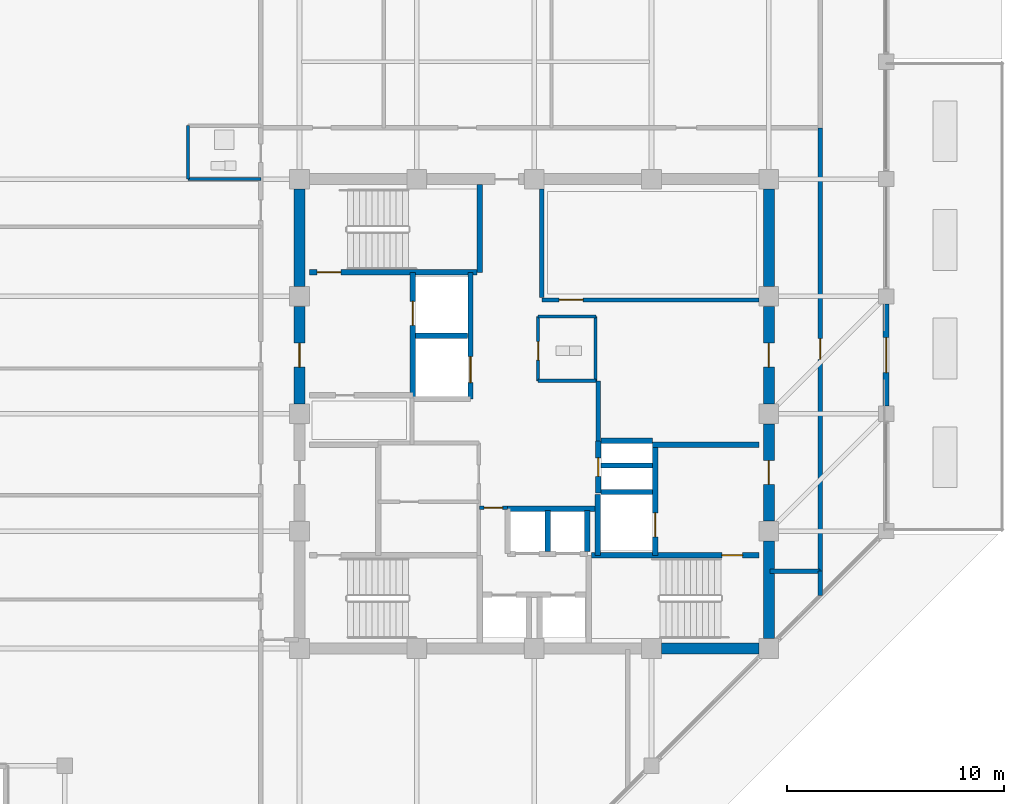
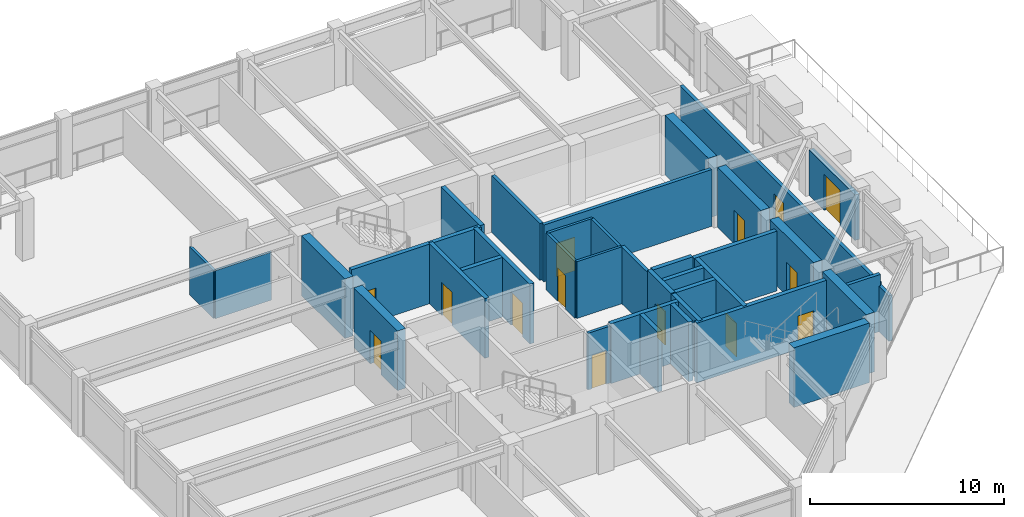
# One storey, part 27 of 34: 37 walls, 14 doors, 14 openings.
"""IFC4 building model written with IfcOpenShell, lengths in metres."""

import ifcopenshell
import ifcopenshell.guid

model = None  # the IFC model being written
_history = None  # IfcOwnerHistory: only IFC2X3 demands one
_inside = {}  # id of a spatial element -> (the spatial element, [elements in it])
_under = {}  # id of a project, library or spatial element -> (it, [spatial elements below it])
_declared = {}  # id of a project -> (the project, [libraries it declares])
_typed = {}  # id of a type object -> (the type object, [elements of that type])
_made_of = {}  # id of a material, layer set ... -> (it, [elements and type objects made of it])


def new_model(schema):
    """Start an empty IFC model of exactly this schema.

    Asked for "IFC4X3", IfcOpenShell would pick the latest addendum, in which some entities
    have other attributes; the version numbers below select the first issue.
    IFC2X3 requires an IfcOwnerHistory on every rooted entity: one is made here for all.
    """
    global model, _history
    if schema == "IFC4X3":
        model = ifcopenshell.file(schema_version=(4, 3, 0, 0))
    else:
        model = ifcopenshell.file(schema=schema)
    _inside.clear()
    _under.clear()
    _declared.clear()
    _typed.clear()
    _made_of.clear()
    _history = None
    if model.schema == "IFC2X3":
        org = make("IfcOrganization", Name="unknown")
        user = make(
            "IfcPersonAndOrganization",
            ThePerson=make("IfcPerson", FamilyName="unknown"),
            TheOrganization=org,
        )
        app = make(
            "IfcApplication",
            ApplicationDeveloper=org,
            Version="unknown",
            ApplicationFullName="unknown",
            ApplicationIdentifier="unknown",
        )
        _history = make(
            "IfcOwnerHistory",
            OwningUser=user,
            OwningApplication=app,
            ChangeAction="ADDED",
            CreationDate=0,
        )
    return model


def make(cls, **values):
    """One entity of the class cls with the attributes given. An attribute that is None is left unset."""
    return model.create_entity(
        cls, **{name: value for name, value in values.items() if value is not None}
    )


def rooted(cls, **values):
    """An entity with a GlobalId (a new one), such as an element, a storey or a relation."""
    return make(cls, GlobalId=ifcopenshell.guid.new(), OwnerHistory=_history, **values)


def si_unit(unit_type, name, prefix=None):
    """IfcSIUnit, for example si_unit("LENGTHUNIT", "METRE", prefix="MILLI")."""
    return make("IfcSIUnit", UnitType=unit_type, Prefix=prefix, Name=name)


def assignment(units):
    """IfcUnitAssignment: the units of a project."""
    return None if units is None else make("IfcUnitAssignment", Units=units)


def point(xyz):
    """IfcCartesianPoint."""
    return None if xyz is None else make("IfcCartesianPoint", Coordinates=xyz)


def direction(xyz):
    """IfcDirection."""
    return None if xyz is None else make("IfcDirection", DirectionRatios=xyz)


def frame(location, z_axis=None, x_axis=None):
    """IfcAxis2Placement3D, a coordinate frame: its origin and axes. An axis left out is left unset."""
    return make(
        "IfcAxis2Placement3D",
        Location=point(location),
        Axis=direction(z_axis),
        RefDirection=direction(x_axis),
    )


def frame_2d(location, x_axis=None):
    """IfcAxis2Placement2D, a coordinate frame in the plane: its origin and x axis."""
    return make(
        "IfcAxis2Placement2D", Location=point(location), RefDirection=direction(x_axis)
    )


def origin():
    """The frame at (0, 0, 0) with its axes left unset."""
    return frame((0.0, 0.0, 0.0))


def place(relative_to, where):
    """IfcLocalPlacement: puts the frame where relative to a parent placement (None: the world)."""
    return make(
        "IfcLocalPlacement", PlacementRelTo=relative_to, RelativePlacement=where
    )


def context(
    kind, dimensions, precision=None, world=None, true_north=None, identifier=None
):
    """IfcGeometricRepresentationContext, for example the 3D "Model" context."""
    return make(
        "IfcGeometricRepresentationContext",
        ContextIdentifier=identifier,
        ContextType=kind,
        CoordinateSpaceDimension=dimensions,
        Precision=precision,
        WorldCoordinateSystem=world,
        TrueNorth=true_north,
    )


def subcontext(parent, identifier, kind, view, scale=None):
    """IfcGeometricRepresentationSubContext, for example "Body" below "Model"."""
    return make(
        "IfcGeometricRepresentationSubContext",
        ContextIdentifier=identifier,
        ContextType=kind,
        ParentContext=parent,
        TargetScale=scale,
        TargetView=view,
    )


def project(units=None, contexts=None):
    """IfcProject with its units and contexts."""
    return rooted(
        "IfcProject",
        Name="project",
        RepresentationContexts=contexts,
        UnitsInContext=assignment(units),
    )


def spatial(cls, under=None, at=None, **own):
    """A site, building, storey or space (cls), placed at a placement, below another one or the project."""
    s = rooted(cls, ObjectPlacement=at, **own)
    if under is not None:
        _under.setdefault(under.id(), (under, []))[1].append(s)
    return s


def profile(cls, at=None, kind="AREA", **sizes):
    """A parametric profile (cls). Its sizes go by their IFC names, for example OverallWidth=200.0."""
    return make(cls, ProfileType=kind, Position=at, **sizes)


def rectangle(**sizes):
    """IfcRectangleProfileDef."""
    return profile("IfcRectangleProfileDef", **sizes)


def extrude(swept, where, along, depth):
    """IfcExtrudedAreaSolid: the profile swept, set in the frame where, extruded along a direction by depth."""
    return make(
        "IfcExtrudedAreaSolid",
        SweptArea=swept,
        Position=where,
        ExtrudedDirection=direction(along),
        Depth=depth,
    )


def shape(context_of_items, identifier, shape_type, items):
    """IfcShapeRepresentation: the items that make up one representation, for example the "Body"."""
    return make(
        "IfcShapeRepresentation",
        ContextOfItems=context_of_items,
        RepresentationIdentifier=identifier,
        RepresentationType=shape_type,
        Items=items,
    )


def material(Name=None, Category=None):
    """IfcMaterial."""
    return make("IfcMaterial", Name=Name, Category=Category)


def layer(
    of_material, thickness, ventilated=None, Name=None, Category=None, Priority=None
):
    """IfcMaterialLayer: one layer of a wall or slab, of a material (None: an air gap)."""
    return make(
        "IfcMaterialLayer",
        Material=of_material,
        LayerThickness=thickness,
        IsVentilated=ventilated,
        Name=Name,
        Category=Category,
        Priority=Priority,
    )


def layer_set(layers, Name=None):
    """IfcMaterialLayerSet."""
    return make("IfcMaterialLayerSet", MaterialLayers=layers, LayerSetName=Name)


def made_of(thing, what):
    """Note that an element or type object is made of a material, layer set ...; save() writes the relation."""
    if what is not None:
        _made_of.setdefault(what.id(), (what, []))[1].append(thing)
    return thing


def type_object(cls, material=None, **own):
    """A type object (cls), such as IfcWallType, which elements share."""
    return made_of(rooted(cls, **own), material)


def element(
    cls,
    number,
    at=None,
    inside=None,
    cuts=None,
    type_object=None,
    material=None,
    context=None,
    identifier="Body",
    shape_type=None,
    held_by="IfcProductDefinitionShape",
    body=None,
    shapes=None,
    **own,
):
    """One element of the class cls, such as IfcWall. Its Tag is "e" and its number.

    at: its placement. inside: the storey or other place that contains it. cuts: it is an
    opening in that element (IfcRelVoidsElement). A single representation is given by context,
    identifier, shape_type and body (its items); several are given by shapes. held_by: the class
    of the entity that holds the representations. save() writes the other relations.
    """
    e = rooted(cls, Tag="e%d" % number, ObjectPlacement=at, **own)
    if body is not None:
        shapes = [shape(context, identifier, shape_type, body)]
    if shapes is not None:
        e.Representation = make(held_by, Representations=shapes)
    if inside is not None:
        _inside.setdefault(inside.id(), (inside, []))[1].append(e)
    if cuts is not None:
        rooted(
            "IfcRelVoidsElement", RelatingBuildingElement=cuts, RelatedOpeningElement=e
        )
    if type_object is not None:
        _typed.setdefault(type_object.id(), (type_object, []))[1].append(e)
    return made_of(e, material)


def fill(opening, filler):
    """IfcRelFillsElement: the door or window that sits in an opening."""
    return rooted(
        "IfcRelFillsElement",
        RelatingOpeningElement=opening,
        RelatedBuildingElement=filler,
    )


def aggregate(whole, parts):
    """IfcRelAggregates: a whole, such as a stair, and the parts it consists of."""
    return rooted("IfcRelAggregates", RelatingObject=whole, RelatedObjects=parts)


def save(model, path):
    """Write the relations noted so far, then the file.

    IfcRelAggregates (storeys below a building ...), IfcRelContainedInSpatialStructure (elements
    in a storey), IfcRelDefinesByType, IfcRelAssociatesMaterial and IfcRelDeclares: one each for
    every whole, place, type object, material and project.
    """
    for whole, parts in _under.values():
        aggregate(whole, parts)
    for where, things in _inside.values():
        rooted(
            "IfcRelContainedInSpatialStructure",
            RelatedElements=things,
            RelatingStructure=where,
        )
    for kind, things in _typed.values():
        rooted("IfcRelDefinesByType", RelatedObjects=things, RelatingType=kind)
    for what, things in _made_of.values():
        rooted("IfcRelAssociatesMaterial", RelatedObjects=things, RelatingMaterial=what)
    for by, libraries in _declared.values():
        rooted("IfcRelDeclares", RelatingContext=by, RelatedDefinitions=libraries)
    model.write(path)


model = new_model("IFC4")

# Units and contexts
model_context = context("Model", 3, precision=1e-05, world=origin(), true_north=direction((0.0, 1.0)))
body_context = subcontext(model_context, "Body", "Model", "MODEL_VIEW")
ifc_project = project(units=[si_unit("LENGTHUNIT", "METRE"), si_unit("AREAUNIT", "SQUARE_METRE"), si_unit("VOLUMEUNIT", "CUBIC_METRE"), si_unit("PLANEANGLEUNIT", "RADIAN"), si_unit("MASSUNIT", "GRAM", prefix="KILO")], contexts=[model_context])

# Site, building, storey
site_placement = place(None, origin())
site = spatial("IfcSite", under=ifc_project, at=site_placement, CompositionType="ELEMENT")
building_placement = place(site_placement, origin())
building = spatial("IfcBuilding", under=site, at=building_placement, Name="Surkhivell Harbour Commons", CompositionType="ELEMENT")
storey_placement = place(building_placement, frame((0.0, 0.0, 258.75)))
storey = spatial("IfcBuildingStorey", under=building, at=storey_placement, Name="L67", CompositionType="ELEMENT", Elevation=258.75)

# Wall
ifc_material_1 = material(Name="Concrete C50/60", Category="concrete")
ifc_layer_1 = layer(ifc_material_1, 0.5)
ifc_layer_set_1 = layer_set([ifc_layer_1], Name="Concrete C50/60")
wall_type_1 = type_object("IfcWallType", Name="WAL-CORE-500", PredefinedType="SHEAR", material=ifc_layer_set_1)
wall_1_placement = place(storey_placement, frame((10.800048828125, -10.340087890625, 0.0), z_axis=(0.0, 0.0, 1.0), x_axis=(0.0, 1.0, 0.0)))
element("IfcWall", 1, at=wall_1_placement, inside=storey, type_object=wall_type_1, Name="L67 Core Shear Wall East 1", PredefinedType="SHEAR", context=body_context, shape_type="SweptSolid", body=[
    extrude(rectangle(XDim=4.47998046875, YDim=0.5, at=frame_2d((2.239990234375, 0.0))), origin(), (0.0, 0.0, 1.0), 3.75),
])

# Wall, opening, door
wall_2_placement = place(storey_placement, frame((10.800048828125, -4.93994140625, 0.0), z_axis=(0.0, 0.0, 1.0), x_axis=(0.0, 1.0, 0.0)))
wall_2 = element("IfcWall", 2, at=wall_2_placement, inside=storey, type_object=wall_type_1, Name="L67 Core Shear Wall East 2", PredefinedType="SHEAR", context=body_context, shape_type="SweptSolid", body=[
    extrude(rectangle(XDim=4.47998046875, YDim=0.5, at=frame_2d((2.239990234375, 0.0))), origin(), (0.0, 0.0, 1.0), 3.75),
])
opening_1_placement = place(wall_2_placement, frame((1.68994140625, 0.0, 0.0)))
opening_1 = element("IfcOpeningElement", 3, at=opening_1_placement, cuts=wall_2, Name="Opening ID-1", PredefinedType="OPENING", context=body_context, shape_type="SweptSolid", body=[
    extrude(rectangle(XDim=1.10009765625, YDim=2.10009765625, at=frame_2d((0.550048828125, 1.050048828125))), frame((0.0, 0.260009765625, 0.0), z_axis=(0.0, -1.0, 0.0), x_axis=(1.0, 0.0, 0.0)), (0.0, 0.0, 1.0), 0.52001953125),
])
ifc_material_2 = material(Name="Hardwood-veneered fire-rated door leaf", Category="wood")
door_type_1 = type_object("IfcDoorType", Name="DOR-FD120-1100", OperationType="NOTDEFINED", PredefinedType="DOOR", material=ifc_material_2)
door_1_placement = place(opening_1_placement, origin())
door_1 = element("IfcDoor", 4, at=door_1_placement, inside=storey, type_object=door_type_1, Name="L67 Firefighting Lobby 2 Corridor Door", OperationType="SINGLE_SWING_RIGHT", OverallHeight=2.10009765625, OverallWidth=1.10009765625, PredefinedType="DOOR", context=body_context, shape_type="SweptSolid", body=[
    extrude(rectangle(XDim=1.10009765625, YDim=2.10009765625, at=frame_2d((0.550048828125, 1.050048828125))), frame((0.0, 0.02490234375, 0.0), z_axis=(0.0, -1.0, 0.0), x_axis=(1.0, 0.0, 0.0)), (0.0, 0.0, 1.0), 0.050048828125),
])
fill(opening_1, door_1)

wall_3_placement = place(storey_placement, frame((-10.800048828125, 0.4599609375, 0.0), z_axis=(0.0, 0.0, 1.0), x_axis=(0.0, 1.0, 0.0)))
wall_3 = element("IfcWall", 5, at=wall_3_placement, inside=storey, type_object=wall_type_1, Name="L67 Core Shear Wall West 3", PredefinedType="SHEAR", context=body_context, shape_type="SweptSolid", body=[
    extrude(rectangle(XDim=4.47998046875, YDim=0.5, at=frame_2d((2.239990234375, 0.0))), origin(), (0.0, 0.0, 1.0), 3.75),
])
opening_2_placement = place(wall_3_placement, frame((1.68994140625, 0.0, 0.0)))
opening_2 = element("IfcOpeningElement", 6, at=opening_2_placement, cuts=wall_3, Name="Opening ID-1", PredefinedType="OPENING", context=body_context, shape_type="SweptSolid", body=[
    extrude(rectangle(XDim=1.10009765625, YDim=2.10009765625, at=frame_2d((0.550048828125, 1.050048828125))), frame((0.0, 0.260009765625, 0.0), z_axis=(0.0, -1.0, 0.0), x_axis=(1.0, 0.0, 0.0)), (0.0, 0.0, 1.0), 0.52001953125),
])
door_2_placement = place(opening_2_placement, origin())
door_2 = element("IfcDoor", 7, at=door_2_placement, inside=storey, type_object=door_type_1, Name="L67 Firefighting Lobby 1 Corridor Door", OperationType="SINGLE_SWING_LEFT", OverallHeight=2.10009765625, OverallWidth=1.10009765625, PredefinedType="DOOR", context=body_context, shape_type="SweptSolid", body=[
    extrude(rectangle(XDim=1.10009765625, YDim=2.10009765625, at=frame_2d((0.550048828125, 1.050048828125))), frame((0.0, 0.02490234375, 0.0), z_axis=(0.0, -1.0, 0.0), x_axis=(1.0, 0.0, 0.0)), (0.0, 0.0, 1.0), 0.050048828125),
])
fill(opening_2, door_2)

wall_4_placement = place(storey_placement, frame((10.800048828125, 0.4599609375, 0.0), z_axis=(0.0, 0.0, 1.0), x_axis=(0.0, 1.0, 0.0)))
wall_4 = element("IfcWall", 8, at=wall_4_placement, inside=storey, type_object=wall_type_1, Name="L67 Core Shear Wall East 3", PredefinedType="SHEAR", context=body_context, shape_type="SweptSolid", body=[
    extrude(rectangle(XDim=4.47998046875, YDim=0.5, at=frame_2d((2.239990234375, 0.0))), origin(), (0.0, 0.0, 1.0), 3.75),
])
opening_3_placement = place(wall_4_placement, frame((1.68994140625, 0.0, 0.0)))
opening_3 = element("IfcOpeningElement", 9, at=opening_3_placement, cuts=wall_4, Name="Opening ID-2", PredefinedType="OPENING", context=body_context, shape_type="SweptSolid", body=[
    extrude(rectangle(XDim=1.10009765625, YDim=2.10009765625, at=frame_2d((0.550048828125, 1.050048828125))), frame((0.0, 0.260009765625, 0.0), z_axis=(0.0, -1.0, 0.0), x_axis=(1.0, 0.0, 0.0)), (0.0, 0.0, 1.0), 0.52001953125),
])
door_type_2 = type_object("IfcDoorType", Name="DOR-FD60-1100", OperationType="NOTDEFINED", PredefinedType="DOOR", material=ifc_material_2)
door_3_placement = place(opening_3_placement, origin())
door_3 = element("IfcDoor", 10, at=door_3_placement, inside=storey, type_object=door_type_2, Name="L67 Reading Room East Door", OperationType="SINGLE_SWING_RIGHT", OverallHeight=2.10009765625, OverallWidth=1.10009765625, PredefinedType="DOOR", context=body_context, shape_type="SweptSolid", body=[
    extrude(rectangle(XDim=1.10009765625, YDim=2.10009765625, at=frame_2d((0.550048828125, 1.050048828125))), frame((0.0, 0.02490234375, 0.0), z_axis=(0.0, -1.0, 0.0), x_axis=(1.0, 0.0, 0.0)), (0.0, 0.0, 1.0), 0.050048828125),
])
fill(opening_3, door_3)

# Walls
for number, where, z_axis, x_axis, name in (
    (11, (5.860107421875, -10.800048828125, 0.0), (0.0, 0.0, 1.0), (1.0, 0.0, 0.0), "L67 Core Shear Wall South 4"),
    (12, (-10.800048828125, 5.860107421875, 0.0), (0.0, 0.0, 1.0), (0.0, 1.0, 0.0), "L67 Core Shear Wall West 4"),
    (13, (10.800048828125, 5.860107421875, 0.0), (0.0, 0.0, 1.0), (0.0, 1.0, 0.0), "L67 Core Shear Wall East 4"),
):
    element("IfcWall", number, at=place(storey_placement, frame(where, z_axis=z_axis, x_axis=x_axis)), inside=storey, type_object=wall_type_1, Name=name, PredefinedType="SHEAR", context=body_context, shape_type="SweptSolid", body=[
        extrude(rectangle(XDim=4.47998046875, YDim=0.5, at=frame_2d((2.239990234375, 0.0))), origin(), (0.0, 0.0, 1.0), 3.75),
    ])

# Wall, opening, door
ifc_material_3 = material(Name="Terracotta-clad reinforced concrete C45/55", Category="masonry")
ifc_layer_2 = layer(ifc_material_3, 0.280029296875)
ifc_layer_set_2 = layer_set([ifc_layer_2], Name="Terracotta-clad reinforced concrete C45/55")
wall_type_2 = type_object("IfcWallType", Name="WAL-EXT-TER280", PredefinedType="STANDARD", material=ifc_layer_set_2)
wall_5_placement = place(storey_placement, frame((16.199951171875, 5.052001953125, 0.0), z_axis=(0.0, 0.0, 1.0), x_axis=(0.0, -1.0, 0.0)))
wall_5 = element("IfcWall", 14, at=wall_5_placement, inside=storey, type_object=wall_type_2, Name="L67 Sky-Garden Portal Wall", PredefinedType="STANDARD", context=body_context, shape_type="SweptSolid", body=[
    extrude(rectangle(XDim=4.7041015625, YDim=0.280029296875, at=frame_2d((2.35205078125, 0.0))), origin(), (0.0, 0.0, 1.0), 2.85693359375),
])
opening_4_placement = place(wall_5_placement, frame((1.552001953125, 0.0, 0.0)))
opening_4 = element("IfcOpeningElement", 15, at=opening_4_placement, cuts=wall_5, Name="Opening ED-3", PredefinedType="OPENING", context=body_context, shape_type="SweptSolid", body=[
    extrude(rectangle(XDim=1.60009765625, YDim=2.25, at=frame_2d((0.800048828125, 1.125))), frame((0.0, 0.14990234375, 0.0), z_axis=(0.0, -1.0, 0.0), x_axis=(1.0, 0.0, 0.0)), (0.0, 0.0, 1.0), 0.300048828125),
])
ifc_material_4 = material(Name="Anodised pale-metal aluminium and laminated safety glass", Category="aluminium")
door_type_3 = type_object("IfcDoorType", Name="DOR-EXT-TERR1600", OperationType="DOUBLE_DOOR_SINGLE_SWING", PredefinedType="DOOR", material=ifc_material_4)
door_4_placement = place(opening_4_placement, origin())
door_4 = element("IfcDoor", 16, at=door_4_placement, inside=storey, type_object=door_type_3, Name="L67 Sky-Garden Terrace Double Door", OperationType="DOUBLE_DOOR_SINGLE_SWING", OverallHeight=2.25, OverallWidth=1.60009765625, PredefinedType="DOOR", context=body_context, shape_type="SweptSolid", body=[
    extrude(rectangle(XDim=1.60009765625, YDim=2.25, at=frame_2d((0.800048828125, 1.125))), frame((0.0, 0.02490234375, 0.0), z_axis=(0.0, -1.0, 0.0), x_axis=(1.0, 0.0, 0.0)), (0.0, 0.0, 1.0), 0.050048828125),
])
fill(opening_4, door_4)

# Walls
ifc_material_5 = material(Name="Twin-stud acoustic fireboard partition", Category="other")
ifc_layer_3 = layer(ifc_material_5, 0.14990234375)
ifc_layer_set_3 = layer_set([ifc_layer_3], Name="Twin-stud acoustic fireboard partition")
wall_type_3 = type_object("IfcWallType", Name="WAL-INT-150", PredefinedType="PARTITIONING", material=ifc_layer_set_3)
wall_6_placement = place(storey_placement, frame((2.820068359375, 1.52001953125, 0.0), z_axis=(0.0, 0.0, 1.0), x_axis=(0.0, 1.0, 0.0)))
element("IfcWall", 17, at=wall_6_placement, inside=storey, type_object=wall_type_3, Name="L67 Core Accessible WC East Wall", PredefinedType="PARTITIONING", context=body_context, shape_type="SweptSolid", body=[
    extrude(rectangle(XDim=2.9599609375, YDim=0.14990234375, at=frame_2d((1.47998046875, 0.0))), origin(), (0.0, 0.0, 1.0), 3.570068359375),
])
for number, where, z_axis, x_axis, name in (
    (18, (0.179931640625, 4.47998046875, 0.0), (0.0, 0.0, 1.0), (1.0, 0.0, 0.0), "L67 Core Accessible WC North Wall"),
    (19, (0.179931640625, 1.52001953125, 0.0), (0.0, 0.0, 1.0), (1.0, 0.0, 0.0), "L67 Core Accessible WC South Wall"),
):
    element("IfcWall", number, at=place(storey_placement, frame(where, z_axis=z_axis, x_axis=x_axis)), inside=storey, type_object=wall_type_3, Name=name, PredefinedType="PARTITIONING", context=body_context, shape_type="SweptSolid", body=[
        extrude(rectangle(XDim=2.670166015625, YDim=0.14990234375, at=frame_2d((1.3349609375, 0.0))), origin(), (0.0, 0.0, 1.0), 3.570068359375),
    ])

# Wall, opening, door
wall_7_placement = place(storey_placement, frame((0.179931640625, 1.52001953125, 0.0), z_axis=(0.0, 0.0, 1.0), x_axis=(0.0, 1.0, 0.0)))
wall_7 = element("IfcWall", 20, at=wall_7_placement, inside=storey, type_object=wall_type_3, Name="L67 Core Accessible WC West Wall", PredefinedType="PARTITIONING", context=body_context, shape_type="SweptSolid", body=[
    extrude(rectangle(XDim=2.9599609375, YDim=0.14990234375, at=frame_2d((1.47998046875, 0.0))), origin(), (0.0, 0.0, 1.0), 3.570068359375),
])
opening_5_placement = place(wall_7_placement, frame((0.949951171875, 0.0, 0.0)))
opening_5 = element("IfcOpeningElement", 21, at=opening_5_placement, cuts=wall_7, Name="Opening ID-6", PredefinedType="OPENING", context=body_context, shape_type="SweptSolid", body=[
    extrude(rectangle(XDim=0.85009765625, YDim=2.10009765625, at=frame_2d((0.425048828125, 1.050048828125))), frame((0.0, 0.0849609375, 0.0), z_axis=(0.0, -1.0, 0.0), x_axis=(1.0, 0.0, 0.0)), (0.0, 0.0, 1.0), 0.169921875),
])
door_type_4 = type_object("IfcDoorType", Name="DOR-FD30-850", OperationType="NOTDEFINED", PredefinedType="DOOR", material=ifc_material_2)
door_5_placement = place(opening_5_placement, origin())
door_5 = element("IfcDoor", 22, at=door_5_placement, inside=storey, type_object=door_type_4, Name="L67 Floor Accessible WC Door", OperationType="SINGLE_SWING_RIGHT", OverallHeight=2.10009765625, OverallWidth=0.85009765625, PredefinedType="DOOR", context=body_context, shape_type="SweptSolid", body=[
    extrude(rectangle(XDim=0.85009765625, YDim=2.10009765625, at=frame_2d((0.425048828125, 1.050048828125))), frame((0.0, 0.02490234375, 0.0), z_axis=(0.0, -1.0, 0.0), x_axis=(1.0, 0.0, 0.0)), (0.0, 0.0, 1.0), 0.050048828125),
])
fill(opening_5, door_5)

# Walls
wall_8_placement = place(storey_placement, frame((-15.929931640625, 10.81005859375, 0.0), z_axis=(0.0, 0.0, 1.0), x_axis=(0.0, 1.0, 0.0)))
element("IfcWall", 23, at=wall_8_placement, inside=storey, type_object=wall_type_3, Name="L67 West Partition BTHB", PredefinedType="PARTITIONING", context=body_context, shape_type="SweptSolid", body=[
    extrude(rectangle(XDim=2.449951171875, YDim=0.14990234375, at=frame_2d((1.22509765625, 0.0))), origin(), (0.0, 0.0, 1.0), 3.012939453125),
])
wall_9_placement = place(storey_placement, frame((-15.929931640625, 10.81005859375, 0.0), z_axis=(0.0, 0.0, 1.0), x_axis=(1.0, 0.0, 0.0)))
element("IfcWall", 24, at=wall_9_placement, inside=storey, type_object=wall_type_3, Name="L67 West Partition BTHS", PredefinedType="PARTITIONING", context=body_context, shape_type="SweptSolid", body=[
    extrude(rectangle(XDim=3.349853515625, YDim=0.14990234375, at=frame_2d((1.6748046875, 0.0))), origin(), (0.0, 0.0, 1.0), 3.012939453125),
])

# Wall, opening, door
ifc_material_6 = material(Name="High-density acoustic blockwork fire partition", Category="masonry")
ifc_layer_4 = layer(ifc_material_6, 0.175048828125)
ifc_layer_set_4 = layer_set([ifc_layer_4], Name="High-density acoustic blockwork fire partition")
wall_type_4 = type_object("IfcWallType", Name="WAL-INT-175", PredefinedType="PARTITIONING", material=ifc_layer_set_4)
wall_10_placement = place(storey_placement, frame((-2.52001953125, -4.320068359375, 0.0), z_axis=(0.0, 0.0, 1.0), x_axis=(1.0, 0.0, 0.0)))
wall_10 = element("IfcWall", 25, at=wall_10_placement, inside=storey, type_object=wall_type_4, Name="L67 High-Rise Lobby North Portal Wall", PredefinedType="PARTITIONING", context=body_context, shape_type="SweptSolid", body=[
    extrude(rectangle(XDim=1.300048828125, YDim=0.175048828125, at=frame_2d((0.64990234375, 0.0))), origin(), (0.0, 0.0, 1.0), 3.570068359375),
])
opening_6_placement = place(wall_10_placement, frame((0.219970703125, 0.0, 0.0)))
opening_6 = element("IfcOpeningElement", 26, at=opening_6_placement, cuts=wall_10, Name="Opening ID-6", PredefinedType="OPENING", context=body_context, shape_type="SweptSolid", body=[
    extrude(rectangle(XDim=0.85009765625, YDim=2.10009765625, at=frame_2d((0.425048828125, 1.050048828125))), frame((0.0, 0.097412109375, 0.0), z_axis=(0.0, -1.0, 0.0), x_axis=(1.0, 0.0, 0.0)), (0.0, 0.0, 1.0), 0.195068359375),
])
door_6_placement = place(opening_6_placement, origin())
door_6 = element("IfcDoor", 27, at=door_6_placement, inside=storey, type_object=door_type_4, Name="L67 High-Rise Lift Lobby North Door", OperationType="SINGLE_SWING_LEFT", OverallHeight=2.10009765625, OverallWidth=0.85009765625, PredefinedType="DOOR", context=body_context, shape_type="SweptSolid", body=[
    extrude(rectangle(XDim=0.85009765625, YDim=2.10009765625, at=frame_2d((0.425048828125, 1.050048828125))), frame((0.0, 0.02490234375, 0.0), z_axis=(0.0, -1.0, 0.0), x_axis=(1.0, 0.0, 0.0)), (0.0, 0.0, 1.0), 0.050048828125),
])
fill(opening_6, door_6)

ifc_material_7 = material(Name="Autoclaved aerated concrete blockwork and fire plaster", Category="masonry")
ifc_layer_5 = layer(ifc_material_7, 0.199951171875)
ifc_layer_set_5 = layer_set([ifc_layer_5], Name="Autoclaved aerated concrete blockwork and fire plaster")
wall_type_5 = type_object("IfcWallType", Name="WAL-INT-200", PredefinedType="PARTITIONING", material=ifc_layer_set_5)
wall_11_placement = place(storey_placement, frame((0.35009765625, 5.239990234375, 0.0), z_axis=(0.0, 0.0, 1.0), x_axis=(1.0, 0.0, 0.0)))
wall_11 = element("IfcWall", 28, at=wall_11_placement, inside=storey, type_object=wall_type_5, Name="L67 Reclaimed Core North Bay South Wall", PredefinedType="PARTITIONING", context=body_context, shape_type="SweptSolid", body=[
    extrude(rectangle(XDim=9.989990234375, YDim=0.199951171875, at=frame_2d((4.9951171875, 0.0))), origin(), (0.0, 0.0, 1.0), 3.570068359375),
])
opening_7_placement = place(wall_11_placement, frame((0.800048828125, 0.0, 0.0)))
opening_7 = element("IfcOpeningElement", 29, at=opening_7_placement, cuts=wall_11, Name="Opening ID-2", PredefinedType="OPENING", context=body_context, shape_type="SweptSolid", body=[
    extrude(rectangle(XDim=1.10009765625, YDim=2.10009765625, at=frame_2d((0.550048828125, 1.050048828125))), frame((0.0, 0.10986328125, 0.0), z_axis=(0.0, -1.0, 0.0), x_axis=(1.0, 0.0, 0.0)), (0.0, 0.0, 1.0), 0.219970703125),
])
door_7_placement = place(opening_7_placement, origin())
door_7 = element("IfcDoor", 30, at=door_7_placement, inside=storey, type_object=door_type_2, Name="L67 Reading Library Door", OperationType="SINGLE_SWING_LEFT", OverallHeight=2.10009765625, OverallWidth=1.10009765625, PredefinedType="DOOR", context=body_context, shape_type="SweptSolid", body=[
    extrude(rectangle(XDim=1.10009765625, YDim=2.10009765625, at=frame_2d((0.550048828125, 1.050048828125))), frame((0.0, 0.02490234375, 0.0), z_axis=(0.0, -1.0, 0.0), x_axis=(1.0, 0.0, 0.0)), (0.0, 0.0, 1.0), 0.050048828125),
])
fill(opening_7, door_7)

# Wall
wall_12_placement = place(storey_placement, frame((0.35009765625, 5.360107421875, 0.0), z_axis=(0.0, 0.0, 1.0), x_axis=(0.0, 1.0, 0.0)))
element("IfcWall", 31, at=wall_12_placement, inside=storey, type_object=wall_type_5, Name="L67 Reclaimed Core North Bay West Wall", PredefinedType="PARTITIONING", context=body_context, shape_type="SweptSolid", body=[
    extrude(rectangle(XDim=4.97998046875, YDim=0.199951171875, at=frame_2d((2.489990234375, 0.0))), origin(), (0.0, 0.0, 1.0), 3.570068359375),
])

# Wall, opening, door
wall_13_placement = place(storey_placement, frame((13.159912109375, -7.239990234375, 0.0), z_axis=(0.0, 0.0, 1.0), x_axis=(0.0, 1.0, 0.0)))
wall_13 = element("IfcWall", 32, at=wall_13_placement, inside=storey, type_object=wall_type_5, Name="L67 East Corridor Wall", PredefinedType="PARTITIONING", context=body_context, shape_type="SweptSolid", body=[
    extrude(rectangle(XDim=20.39990234375, YDim=0.199951171875, at=frame_2d((10.199951171875, 0.0))), origin(), (0.0, 0.0, 1.0), 3.012939453125),
])
opening_8_placement = place(wall_13_placement, frame((9.75, 0.0, 0.0)))
opening_8 = element("IfcOpeningElement", 33, at=opening_8_placement, cuts=wall_13, Name="Opening ID-4", PredefinedType="OPENING", context=body_context, shape_type="SweptSolid", body=[
    extrude(rectangle(XDim=0.949951171875, YDim=2.10009765625, at=frame_2d((0.47509765625, 1.050048828125))), frame((0.0, 0.10986328125, 0.0), z_axis=(0.0, -1.0, 0.0), x_axis=(1.0, 0.0, 0.0)), (0.0, 0.0, 1.0), 0.219970703125),
])
door_type_5 = type_object("IfcDoorType", Name="DOR-FD60-950", OperationType="NOTDEFINED", PredefinedType="DOOR", material=ifc_material_2)
door_8_placement = place(opening_8_placement, origin())
door_8 = element("IfcDoor", 34, at=door_8_placement, inside=storey, type_object=door_type_5, Name="L67 Harbour Social Lounge East Door", OperationType="SINGLE_SWING_LEFT", OverallHeight=2.10009765625, OverallWidth=0.949951171875, PredefinedType="DOOR", context=body_context, shape_type="SweptSolid", body=[
    extrude(rectangle(XDim=0.949951171875, YDim=2.10009765625, at=frame_2d((0.47509765625, 1.050048828125))), frame((0.0, 0.02490234375, 0.0), z_axis=(0.0, -1.0, 0.0), x_axis=(1.0, 0.0, 0.0)), (0.0, 0.0, 1.0), 0.050048828125),
])
fill(opening_8, door_8)

# Walls
wall_14_placement = place(storey_placement, frame((13.159912109375, -8.355224609375, 0.0), z_axis=(0.0, 0.0, 1.0), x_axis=(0.0, 1.0, 0.0)))
element("IfcWall", 35, at=wall_14_placement, inside=storey, type_object=wall_type_5, Name="L67 East Wing South Closure Wall", PredefinedType="PARTITIONING", context=body_context, shape_type="SweptSolid", body=[
    extrude(rectangle(XDim=1.115234375, YDim=0.199951171875, at=frame_2d((0.5576171875, 0.0))), origin(), (0.0, 0.0, 1.0), 2.85693359375),
])
wall_15_placement = place(storey_placement, frame((10.85009765625, -7.239990234375, 0.0), z_axis=(0.0, 0.0, 1.0), x_axis=(1.0, 0.0, 0.0)))
element("IfcWall", 36, at=wall_15_placement, inside=storey, type_object=wall_type_5, Name="L67 East Corridor South Closure Wall", PredefinedType="PARTITIONING", context=body_context, shape_type="SweptSolid", body=[
    extrude(rectangle(XDim=2.309814453125, YDim=0.199951171875, at=frame_2d((1.15478515625, 0.0))), origin(), (0.0, 0.0, 1.0), 3.570068359375),
])
wall_16_placement = place(storey_placement, frame((2.949951171875, -1.25, 0.0), z_axis=(0.0, 0.0, 1.0), x_axis=(0.0, 1.0, 0.0)))
element("IfcWall", 37, at=wall_16_placement, inside=storey, type_object=wall_type_5, Name="L67 Reclaimed East Core West Wall", PredefinedType="PARTITIONING", context=body_context, shape_type="SweptSolid", body=[
    extrude(rectangle(XDim=2.77001953125, YDim=0.199951171875, at=frame_2d((1.385009765625, 0.0))), origin(), (0.0, 0.0, 1.0), 3.570068359375),
])

# Wall, opening, door
ifc_layer_6 = layer(ifc_material_1, 0.25)
ifc_layer_set_6 = layer_set([ifc_layer_6], Name="Concrete C50/60")
wall_type_6 = type_object("IfcWallType", Name="WAL-SHAFT-250", PredefinedType="SHEAR", material=ifc_layer_set_6)
wall_17_placement = place(storey_placement, frame((-5.580078125, 0.719970703125, 0.0), z_axis=(0.0, 0.0, 1.0), x_axis=(0.0, 1.0, 0.0)))
wall_17 = element("IfcWall", 38, at=wall_17_placement, inside=storey, type_object=wall_type_6, Name="L67 Firefighting Lobby 1 East Shaft Wall", PredefinedType="SHEAR", context=body_context, shape_type="SweptSolid", body=[
    extrude(rectangle(XDim=5.7900390625, YDim=0.25, at=frame_2d((2.89501953125, 0.0))), origin(), (0.0, 0.0, 1.0), 3.75),
])
opening_9_placement = place(wall_17_placement, frame((3.35009765625, 0.0, 0.0)))
opening_9 = element("IfcOpeningElement", 39, at=opening_9_placement, cuts=wall_17, Name="Opening LD-1", PredefinedType="OPENING", context=body_context, shape_type="SweptSolid", body=[
    extrude(rectangle(XDim=1.10009765625, YDim=2.10009765625, at=frame_2d((0.550048828125, 1.050048828125))), frame((0.0, 0.135009765625, 0.0), z_axis=(0.0, -1.0, 0.0), x_axis=(1.0, 0.0, 0.0)), (0.0, 0.0, 1.0), 0.27001953125),
])
ifc_material_8 = material(Name="Brushed stainless steel S355", Category="steel")
door_type_6 = type_object("IfcDoorType", Name="DOR-LD-1100", OperationType="SLIDING_TO_LEFT", PredefinedType="DOOR", material=ifc_material_8)
door_9_placement = place(opening_9_placement, origin())
door_9 = element("IfcDoor", 40, at=door_9_placement, inside=storey, type_object=door_type_6, Name="L67 Lift Landing Door LD-FFL1", OperationType="SLIDING_TO_LEFT", OverallHeight=2.10009765625, OverallWidth=1.10009765625, PredefinedType="DOOR", context=body_context, shape_type="SweptSolid", body=[
    extrude(rectangle(XDim=1.10009765625, YDim=2.10009765625, at=frame_2d((0.550048828125, 1.050048828125))), frame((0.0, 0.02490234375, 0.0), z_axis=(0.0, -1.0, 0.0), x_axis=(1.0, 0.0, 0.0)), (0.0, 0.0, 1.0), 0.050048828125),
])
fill(opening_9, door_9)

# Walls
wall_18_placement = place(storey_placement, frame((2.929931640625, -6.510009765625, 0.0), z_axis=(0.0, 0.0, 1.0), x_axis=(0.0, 1.0, 0.0)))
element("IfcWall", 41, at=wall_18_placement, inside=storey, type_object=wall_type_6, Name="L67 FFL2 West Shaft Wall", PredefinedType="SHEAR", context=body_context, shape_type="SweptSolid", body=[
    extrude(rectangle(XDim=2.7900390625, YDim=0.25, at=frame_2d((1.39501953125, 0.0))), origin(), (0.0, 0.0, 1.0), 3.75),
])
wall_19_placement = place(storey_placement, frame((5.43994140625, -1.419921875, 0.0), z_axis=(0.0, 0.0, 1.0), x_axis=(1.0, 0.0, 0.0)))
element("IfcWall", 42, at=wall_19_placement, inside=storey, type_object=wall_type_6, Name="L67 Firefighting Lobby 2 North Wall", PredefinedType="SHEAR", context=body_context, shape_type="SweptSolid", body=[
    extrude(rectangle(XDim=4.900146484375, YDim=0.25, at=frame_2d((2.4501953125, 0.0))), origin(), (0.0, 0.0, 1.0), 3.75),
])
wall_20_placement = place(storey_placement, frame((3.080078125, -3.60009765625, 0.0), z_axis=(0.0, 0.0, 1.0), x_axis=(1.0, 0.0, 0.0)))
element("IfcWall", 43, at=wall_20_placement, inside=storey, type_object=wall_type_6, Name="L67 FFL2 North Shaft Wall", PredefinedType="SHEAR", context=body_context, shape_type="SweptSolid", body=[
    extrude(rectangle(XDim=2.369873046875, YDim=0.25, at=frame_2d((1.18505859375, 0.0))), origin(), (0.0, 0.0, 1.0), 3.75),
])

# Wall, opening, door
wall_21_placement = place(storey_placement, frame((5.580078125, -6.510009765625, 0.0), z_axis=(0.0, 0.0, 1.0), x_axis=(0.0, 1.0, 0.0)))
wall_21 = element("IfcWall", 44, at=wall_21_placement, inside=storey, type_object=wall_type_6, Name="L67 Firefighting Lobby 2 West Shaft Wall", PredefinedType="SHEAR", context=body_context, shape_type="SweptSolid", body=[
    extrude(rectangle(XDim=5.090087890625, YDim=0.25, at=frame_2d((2.544921875, 0.0))), origin(), (0.0, 0.0, 1.0), 3.75),
])
opening_10_placement = place(wall_21_placement, frame((0.85009765625, 0.0, 0.0)))
opening_10 = element("IfcOpeningElement", 45, at=opening_10_placement, cuts=wall_21, Name="Opening LD-1", PredefinedType="OPENING", context=body_context, shape_type="SweptSolid", body=[
    extrude(rectangle(XDim=1.10009765625, YDim=2.10009765625, at=frame_2d((0.550048828125, 1.050048828125))), frame((0.0, 0.135009765625, 0.0), z_axis=(0.0, -1.0, 0.0), x_axis=(1.0, 0.0, 0.0)), (0.0, 0.0, 1.0), 0.27001953125),
])
door_10_placement = place(opening_10_placement, origin())
door_10 = element("IfcDoor", 46, at=door_10_placement, inside=storey, type_object=door_type_6, Name="L67 Lift Landing Door LD-FFL2", OperationType="SLIDING_TO_RIGHT", OverallHeight=2.10009765625, OverallWidth=1.10009765625, PredefinedType="DOOR", context=body_context, shape_type="SweptSolid", body=[
    extrude(rectangle(XDim=1.10009765625, YDim=2.10009765625, at=frame_2d((0.550048828125, 1.050048828125))), frame((0.0, 0.02490234375, 0.0), z_axis=(0.0, -1.0, 0.0), x_axis=(1.0, 0.0, 0.0)), (0.0, 0.0, 1.0), 0.050048828125),
])
fill(opening_10, door_10)

# Walls
for number, where, z_axis, x_axis, name in (
    (47, (0.6201171875, -6.340087890625, 0.0), (0.0, 0.0, 1.0), (0.0, 1.0, 0.0), "L67 High-Rise Side Wall N"),
    (48, (2.449951171875, -6.340087890625, 0.0), (0.0, 0.0, 1.0), (0.0, 1.0, 0.0), "L67 High-Rise Side Wall N"),
):
    element("IfcWall", number, at=place(storey_placement, frame(where, z_axis=z_axis, x_axis=x_axis)), inside=storey, type_object=wall_type_6, Name=name, PredefinedType="SHEAR", context=body_context, shape_type="SweptSolid", body=[
        extrude(rectangle(XDim=1.880126953125, YDim=0.25, at=frame_2d((0.93994140625, 0.0))), origin(), (0.0, 0.0, 1.0), 3.75),
    ])
wall_22_placement = place(storey_placement, frame((-1.219970703125, -4.360107421875, 0.0), z_axis=(0.0, 0.0, 1.0), x_axis=(1.0, 0.0, 0.0)))
element("IfcWall", 49, at=wall_22_placement, inside=storey, type_object=wall_type_6, Name="L67 High-Rise North Back Shaft Wall", PredefinedType="SHEAR", context=body_context, shape_type="SweptSolid", body=[
    extrude(rectangle(XDim=4.030029296875, YDim=0.25, at=frame_2d((2.01513671875, 0.0))), origin(), (0.0, 0.0, 1.0), 3.75),
])
for number, where, z_axis, x_axis, name in (
    (50, (3.080078125, -2.3798828125, 0.0), (0.0, 0.0, 1.0), (1.0, 0.0, 0.0), "L67 Riser Divider Wall"),
    (51, (3.080078125, -1.25, 0.0), (0.0, 0.0, 1.0), (1.0, 0.0, 0.0), "L67 Riser North Wall"),
):
    element("IfcWall", number, at=place(storey_placement, frame(where, z_axis=z_axis, x_axis=x_axis)), inside=storey, type_object=wall_type_6, Name=name, PredefinedType="SHEAR", context=body_context, shape_type="SweptSolid", body=[
        extrude(rectangle(XDim=2.369873046875, YDim=0.25, at=frame_2d((1.18505859375, 0.0))), origin(), (0.0, 0.0, 1.0), 3.75),
    ])

# Wall, opening, door
wall_23_placement = place(storey_placement, frame((2.949951171875, -3.64990234375, 0.0), z_axis=(0.0, 0.0, 1.0), x_axis=(0.0, 1.0, 0.0)))
wall_23 = element("IfcWall", 52, at=wall_23_placement, inside=storey, type_object=wall_type_6, Name="L67 Riser Shaft West Wall", PredefinedType="SHEAR", context=body_context, shape_type="SweptSolid", body=[
    extrude(rectangle(XDim=2.39990234375, YDim=0.25, at=frame_2d((1.199951171875, 0.0))), origin(), (0.0, 0.0, 1.0), 3.75),
])
opening_11_placement = place(wall_23_placement, frame((0.77490234375, 0.0, 0.0)))
opening_11 = element("IfcOpeningElement", 53, at=opening_11_placement, cuts=wall_23, Name="Opening ID-6", PredefinedType="OPENING", context=body_context, shape_type="SweptSolid", body=[
    extrude(rectangle(XDim=0.85009765625, YDim=2.10009765625, at=frame_2d((0.425048828125, 1.050048828125))), frame((0.0, 0.135009765625, 0.0), z_axis=(0.0, -1.0, 0.0), x_axis=(1.0, 0.0, 0.0)), (0.0, 0.0, 1.0), 0.27001953125),
])
door_11_placement = place(opening_11_placement, origin())
door_11 = element("IfcDoor", 54, at=door_11_placement, inside=storey, type_object=door_type_4, Name="L67 Electrical Riser Access Door", OperationType="SINGLE_SWING_LEFT", OverallHeight=2.10009765625, OverallWidth=0.85009765625, PredefinedType="DOOR", context=body_context, shape_type="SweptSolid", body=[
    extrude(rectangle(XDim=0.85009765625, YDim=2.10009765625, at=frame_2d((0.425048828125, 1.050048828125))), frame((0.0, 0.02490234375, 0.0), z_axis=(0.0, -1.0, 0.0), x_axis=(1.0, 0.0, 0.0)), (0.0, 0.0, 1.0), 0.050048828125),
])
fill(opening_11, door_11)

# Wall
wall_24_placement = place(storey_placement, frame((-2.510009765625, 6.510009765625, 0.0), z_axis=(0.0, 0.0, 1.0), x_axis=(0.0, 1.0, 0.0)))
element("IfcWall", 55, at=wall_24_placement, inside=storey, type_object=wall_type_6, Name="L67 Stair ST1 East Shear Wall", PredefinedType="SHEAR", context=body_context, shape_type="SweptSolid", body=[
    extrude(rectangle(XDim=4.0400390625, YDim=0.25, at=frame_2d((2.02001953125, 0.0))), origin(), (0.0, 0.0, 1.0), 3.75),
])

# Wall, opening, door
wall_25_placement = place(storey_placement, frame((-10.340087890625, 6.510009765625, 0.0), z_axis=(0.0, 0.0, 1.0), x_axis=(1.0, 0.0, 0.0)))
wall_25 = element("IfcWall", 56, at=wall_25_placement, inside=storey, type_object=wall_type_6, Name="L67 Stair ST1 South Shear Wall", PredefinedType="SHEAR", context=body_context, shape_type="SweptSolid", body=[
    extrude(rectangle(XDim=7.7001953125, YDim=0.25, at=frame_2d((3.85009765625, 0.0))), origin(), (0.0, 0.0, 1.0), 3.75),
])
opening_12_placement = place(wall_25_placement, frame((0.35009765625, 0.0, 0.0)))
opening_12 = element("IfcOpeningElement", 57, at=opening_12_placement, cuts=wall_25, Name="Opening ID-2", PredefinedType="OPENING", context=body_context, shape_type="SweptSolid", body=[
    extrude(rectangle(XDim=1.10009765625, YDim=2.10009765625, at=frame_2d((0.550048828125, 1.050048828125))), frame((0.0, 0.135009765625, 0.0), z_axis=(0.0, -1.0, 0.0), x_axis=(1.0, 0.0, 0.0)), (0.0, 0.0, 1.0), 0.27001953125),
])
door_12_placement = place(opening_12_placement, origin())
door_12 = element("IfcDoor", 58, at=door_12_placement, inside=storey, type_object=door_type_2, Name="L67 Stair ST1 Exit Door", OperationType="SINGLE_SWING_LEFT", OverallHeight=2.10009765625, OverallWidth=1.10009765625, PredefinedType="DOOR", context=body_context, shape_type="SweptSolid", body=[
    extrude(rectangle(XDim=1.10009765625, YDim=2.10009765625, at=frame_2d((0.550048828125, 1.050048828125))), frame((0.0, 0.02490234375, 0.0), z_axis=(0.0, -1.0, 0.0), x_axis=(1.0, 0.0, 0.0)), (0.0, 0.0, 1.0), 0.050048828125),
])
fill(opening_12, door_12)

wall_26_placement = place(storey_placement, frame((2.639892578125, -6.510009765625, 0.0), z_axis=(0.0, 0.0, 1.0), x_axis=(1.0, 0.0, 0.0)))
wall_26 = element("IfcWall", 59, at=wall_26_placement, inside=storey, type_object=wall_type_6, Name="L67 Stair ST2 North Shear Wall", PredefinedType="SHEAR", context=body_context, shape_type="SweptSolid", body=[
    extrude(rectangle(XDim=7.7001953125, YDim=0.25, at=frame_2d((3.85009765625, 0.0))), origin(), (0.0, 0.0, 1.0), 3.75),
])
opening_13_placement = place(wall_26_placement, frame((6.0, 0.0, 0.0)))
opening_13 = element("IfcOpeningElement", 60, at=opening_13_placement, cuts=wall_26, Name="Opening ID-4", PredefinedType="OPENING", context=body_context, shape_type="SweptSolid", body=[
    extrude(rectangle(XDim=0.949951171875, YDim=2.10009765625, at=frame_2d((0.47509765625, 1.050048828125))), frame((0.0, 0.135009765625, 0.0), z_axis=(0.0, -1.0, 0.0), x_axis=(1.0, 0.0, 0.0)), (0.0, 0.0, 1.0), 0.27001953125),
])
door_13_placement = place(opening_13_placement, origin())
door_13 = element("IfcDoor", 61, at=door_13_placement, inside=storey, type_object=door_type_5, Name="L67 Stair ST2 Exit Door", OperationType="SINGLE_SWING_RIGHT", OverallHeight=2.10009765625, OverallWidth=0.949951171875, PredefinedType="DOOR", context=body_context, shape_type="SweptSolid", body=[
    extrude(rectangle(XDim=0.949951171875, YDim=2.10009765625, at=frame_2d((0.47509765625, 1.050048828125))), frame((0.0, 0.02490234375, 0.0), z_axis=(0.0, -1.0, 0.0), x_axis=(1.0, 0.0, 0.0)), (0.0, 0.0, 1.0), 0.050048828125),
])
fill(opening_13, door_13)

wall_27_placement = place(storey_placement, frame((-2.929931640625, 0.679931640625, 0.0), z_axis=(0.0, 0.0, 1.0), x_axis=(0.0, 1.0, 0.0)))
wall_27 = element("IfcWall", 62, at=wall_27_placement, inside=storey, type_object=wall_type_6, Name="L67 Service and Fire Lift East Shaft Wall", PredefinedType="SHEAR", context=body_context, shape_type="SweptSolid", body=[
    extrude(rectangle(XDim=5.830078125, YDim=0.25, at=frame_2d((2.9150390625, 0.0))), origin(), (0.0, 0.0, 1.0), 3.75),
])
opening_14_placement = place(wall_27_placement, frame((0.75, 0.0, 0.0)))
opening_14 = element("IfcOpeningElement", 63, at=opening_14_placement, cuts=wall_27, Name="Opening LD-2", PredefinedType="OPENING", context=body_context, shape_type="SweptSolid", body=[
    extrude(rectangle(XDim=1.199951171875, YDim=2.10009765625, at=frame_2d((0.60009765625, 1.050048828125))), frame((0.0, 0.135009765625, 0.0), z_axis=(0.0, -1.0, 0.0), x_axis=(1.0, 0.0, 0.0)), (0.0, 0.0, 1.0), 0.27001953125),
])
door_type_7 = type_object("IfcDoorType", Name="DOR-LD-1200", OperationType="SLIDING_TO_LEFT", PredefinedType="DOOR", material=ifc_material_8)
door_14_placement = place(opening_14_placement, origin())
door_14 = element("IfcDoor", 64, at=door_14_placement, inside=storey, type_object=door_type_7, Name="L67 Lift Landing Door LD-SVL1", OperationType="SLIDING_TO_LEFT", OverallHeight=2.10009765625, OverallWidth=1.199951171875, PredefinedType="DOOR", context=body_context, shape_type="SweptSolid", body=[
    extrude(rectangle(XDim=1.199951171875, YDim=2.10009765625, at=frame_2d((0.60009765625, 1.050048828125))), frame((0.0, 0.02490234375, 0.0), z_axis=(0.0, -1.0, 0.0), x_axis=(1.0, 0.0, 0.0)), (0.0, 0.0, 1.0), 0.050048828125),
])
fill(opening_14, door_14)

# Wall
wall_28_placement = place(storey_placement, frame((-5.449951171875, 3.60009765625, 0.0), z_axis=(0.0, 0.0, 1.0), x_axis=(1.0, 0.0, 0.0)))
element("IfcWall", 65, at=wall_28_placement, inside=storey, type_object=wall_type_6, Name="L67 FFL1/SVL1 Shaft Divider", PredefinedType="SHEAR", context=body_context, shape_type="SweptSolid", body=[
    extrude(rectangle(XDim=2.389892578125, YDim=0.25, at=frame_2d((1.19482421875, 0.0))), origin(), (0.0, 0.0, 1.0), 3.75),
])

save(model, "model.ifc")
